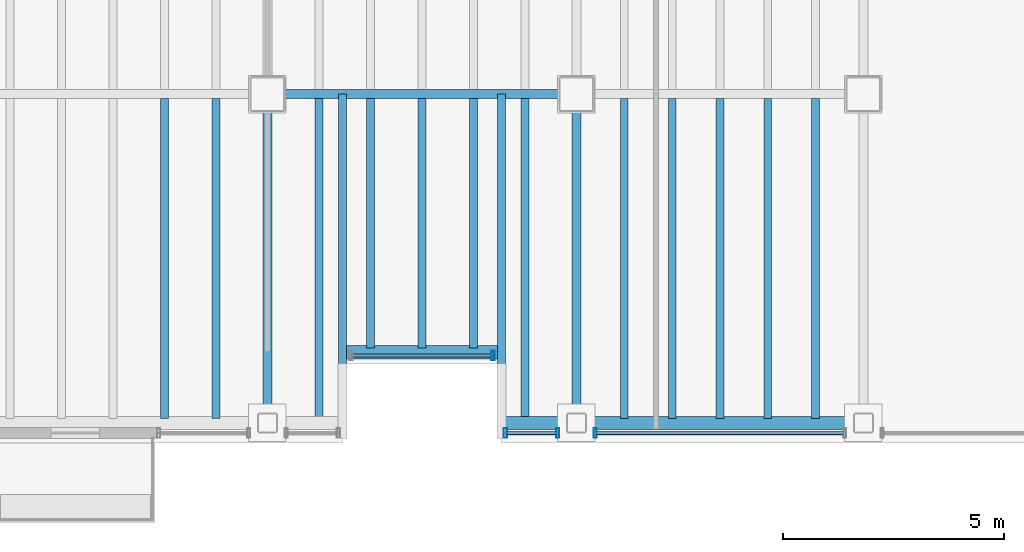
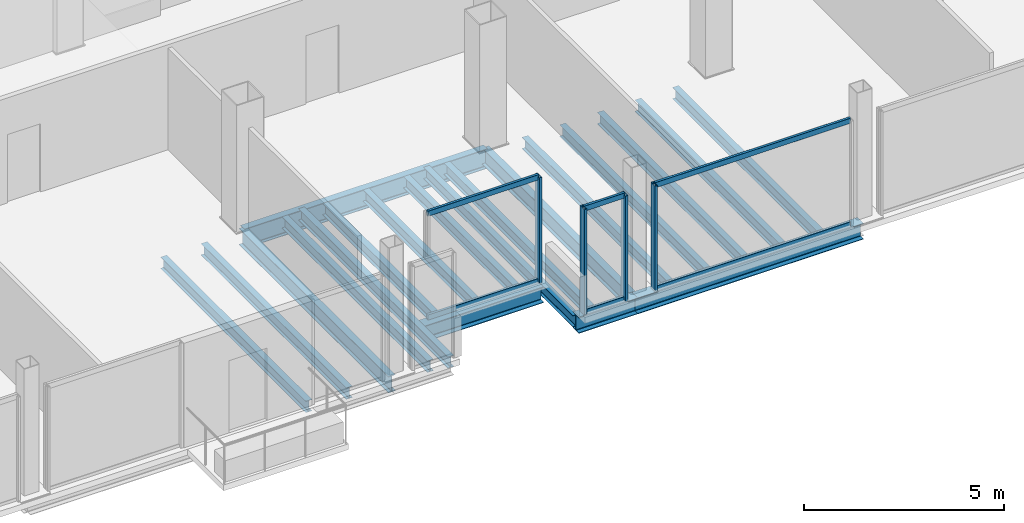
# One storey, part 6 of 16: 20 beams, 10 members, 3 elements without a shape of their own.
"""IFC4 building model written with IfcOpenShell, lengths in metres."""

from ifc_helpers import new_model, si_unit, direction, frame, origin, origin_2d, place, context, subcontext, project, spatial, hollow_rectangle, i_section, extrude, material, material_profile, profile_set, type_object, element, aggregate, save


model = new_model("IFC4")

# Units and contexts
model_context = context("Model", 3, precision=1e-05, world=origin(), true_north=direction((0.0, 1.0)))
body_context = subcontext(model_context, "Body", "Model", "MODEL_VIEW")
ifc_project = project(units=[si_unit("LENGTHUNIT", "METRE"), si_unit("AREAUNIT", "SQUARE_METRE"), si_unit("VOLUMEUNIT", "CUBIC_METRE"), si_unit("PLANEANGLEUNIT", "RADIAN"), si_unit("MASSUNIT", "GRAM", prefix="KILO")], contexts=[model_context])

# Site, building, storey
site_placement = place(None, origin())
site = spatial("IfcSite", under=ifc_project, at=site_placement, CompositionType="ELEMENT")
building_placement = place(site_placement, origin())
building = spatial("IfcBuilding", under=site, at=building_placement, Name="Noeulbin Bourse Tower", CompositionType="ELEMENT")
storey_placement = place(building_placement, frame((0.0, 0.0, 238.39990234375)))
storey = spatial("IfcBuildingStorey", under=building, at=storey_placement, Name="L59", CompositionType="ELEMENT", Elevation=238.39990234375)

# Beams
ifc_material_1 = material(Name="Steel S355", Category="steel")
ifc_material_profile_1 = material_profile(ifc_material_1, i_section(OverallWidth=0.199951171875, OverallDepth=0.5, WebThickness=0.010009765625, FlangeThickness=0.01611328125, FilletRadius=0.02001953125, at=origin_2d()), Name="H-500x200x10x16", Category="LoadBearing")
ifc_profile_set_1 = profile_set([ifc_material_profile_1], Name="Steel S355")
beam_type_1 = type_object("IfcBeamType", Name="BM-GRD-500", PredefinedType="USERDEFINED", material=ifc_profile_set_1)
for number, where, z_axis, x_axis, name in (
    (1, (24.0, 12.550048828125, -0.429931640625), (0.0, 1.0, 0.0), (-1.0, 0.0, 0.0), "Tower Primary Girder NS L59-2.1"),
    (2, (31.0, 12.550048828125, -0.429931640625), (0.0, 1.0, 0.0), (-1.0, 0.0, 0.0), "Tower Primary Girder NS L59-3.1"),
):
    element("IfcBeam", number, at=place(storey_placement, frame(where, z_axis=z_axis, x_axis=x_axis)), inside=storey, type_object=beam_type_1, Name=name, ObjectType="GIRDER", PredefinedType="USERDEFINED", context=body_context, shape_type="SweptSolid", body=[
        extrude(i_section(OverallWidth=0.199951171875, OverallDepth=0.5, WebThickness=0.010009765625, FlangeThickness=0.01611328125, FilletRadius=0.02001953125, at=origin_2d()), origin(), (0.0, 0.0, 1.0), 7.449951171875),
    ])
ifc_material_profile_2 = material_profile(ifc_material_1, i_section(OverallWidth=0.199951171875, OverallDepth=0.60009765625, WebThickness=0.010986328125, FlangeThickness=0.01708984375, FilletRadius=0.02197265625, at=origin_2d()), Name="H-600x200x11x17", Category="LoadBearing")
ifc_profile_set_2 = profile_set([ifc_material_profile_2], Name="Steel S355")
beam_type_2 = type_object("IfcBeamType", Name="BM-GRD-600", PredefinedType="USERDEFINED", material=ifc_profile_set_2)
beam_1_placement = place(storey_placement, frame((24.0, 20.0, -0.47998046875), z_axis=(1.0, 0.0, 0.0), x_axis=(0.0, 1.0, 0.0)))
element("IfcBeam", 3, at=beam_1_placement, inside=storey, type_object=beam_type_2, Name="Tower Primary Girder EW L59-1.3", ObjectType="GIRDER", PredefinedType="USERDEFINED", context=body_context, shape_type="SweptSolid", body=[
    extrude(i_section(OverallWidth=0.199951171875, OverallDepth=0.60009765625, WebThickness=0.010986328125, FlangeThickness=0.01708984375, FilletRadius=0.02197265625, at=origin_2d()), origin(), (0.0, 0.0, 1.0), 7.0),
])
ifc_material_profile_3 = material_profile(ifc_material_1, i_section(OverallWidth=0.175048828125, OverallDepth=0.35009765625, WebThickness=0.007080078125, FlangeThickness=0.010986328125, FilletRadius=0.013916015625, at=origin_2d()), Name="H-350x175x7x11", Category="LoadBearing")
ifc_profile_set_3 = profile_set([ifc_material_profile_3], Name="Steel S355")
beam_type_3 = type_object("IfcBeamType", Name="BM-JST-350", PredefinedType="JOIST", material=ifc_profile_set_3)
for number, where, z_axis, x_axis, name in (
    (4, (25.699951171875, 12.550048828125, -0.35498046875), (0.0, 1.0, 0.0), (-1.0, 0.0, 0.0), "BM-L59-SRT-W"),
    (5, (29.300048828125, 12.550048828125, -0.35498046875), (0.0, 1.0, 0.0), (-1.0, 0.0, 0.0), "BM-L59-SRT-E"),
):
    element("IfcBeam", number, at=place(storey_placement, frame(where, z_axis=z_axis, x_axis=x_axis)), inside=storey, type_object=beam_type_3, Name=name, PredefinedType="JOIST", context=body_context, shape_type="SweptSolid", body=[
        extrude(i_section(OverallWidth=0.175048828125, OverallDepth=0.35009765625, WebThickness=0.007080078125, FlangeThickness=0.010986328125, FilletRadius=0.013916015625, at=origin_2d()), origin(), (0.0, 0.0, 1.0), 7.449951171875),
    ])
for number, where, z_axis, x_axis, name in (
    (6, (21.666748046875, 12.64990234375, -0.35498046875), (0.0, 1.0, 0.0), (-1.0, 0.0, 0.0), "Tower Composite Joist L59-13"),
    (7, (22.833251953125, 12.64990234375, -0.35498046875), (0.0, 1.0, 0.0), (-1.0, 0.0, 0.0), "Tower Composite Joist L59-15"),
    (8, (25.166748046875, 12.64990234375, -0.35498046875), (0.0, 1.0, 0.0), (-1.0, 0.0, 0.0), "Tower Composite Joist L59-17"),
):
    element("IfcBeam", number, at=place(storey_placement, frame(where, z_axis=z_axis, x_axis=x_axis)), inside=storey, type_object=beam_type_3, Name=name, PredefinedType="JOIST", context=body_context, shape_type="SweptSolid", body=[
        extrude(i_section(OverallWidth=0.175048828125, OverallDepth=0.35009765625, WebThickness=0.007080078125, FlangeThickness=0.010986328125, FilletRadius=0.013916015625, at=origin_2d()), origin(), (0.0, 0.0, 1.0), 7.25),
    ])
for number, where, z_axis, x_axis, name in (
    (9, (26.333251953125, 14.25, -0.35498046875), (0.0, 1.0, 0.0), (-1.0, 0.0, 0.0), "Tower Composite Joist L59-19"),
    (10, (27.5, 14.25, -0.35498046875), (0.0, 1.0, 0.0), (-1.0, 0.0, 0.0), "Tower Composite Joist L59-21"),
    (11, (28.666748046875, 14.25, -0.35498046875), (0.0, 1.0, 0.0), (-1.0, 0.0, 0.0), "Tower Composite Joist L59-23"),
):
    element("IfcBeam", number, at=place(storey_placement, frame(where, z_axis=z_axis, x_axis=x_axis)), inside=storey, type_object=beam_type_3, Name=name, PredefinedType="JOIST", context=body_context, shape_type="SweptSolid", body=[
        extrude(i_section(OverallWidth=0.175048828125, OverallDepth=0.35009765625, WebThickness=0.007080078125, FlangeThickness=0.010986328125, FilletRadius=0.013916015625, at=origin_2d()), origin(), (0.0, 0.0, 1.0), 5.64990234375),
    ])
for number, where, z_axis, x_axis, name in (
    (12, (29.833251953125, 12.64990234375, -0.35498046875), (0.0, 1.0, 0.0), (-1.0, 0.0, 0.0), "Tower Composite Joist L59-25"),
    (13, (32.083251953125, 12.64990234375, -0.35498046875), (0.0, 1.0, 0.0), (-1.0, 0.0, 0.0), "Tower Composite Joist L59-27"),
    (14, (33.166748046875, 12.64990234375, -0.35498046875), (0.0, 1.0, 0.0), (-1.0, 0.0, 0.0), "Tower Composite Joist L59-29"),
    (15, (34.25, 12.64990234375, -0.35498046875), (0.0, 1.0, 0.0), (-1.0, 0.0, 0.0), "Tower Composite Joist L59-31"),
    (16, (35.333251953125, 12.64990234375, -0.35498046875), (0.0, 1.0, 0.0), (-1.0, 0.0, 0.0), "Tower Composite Joist L59-33"),
    (17, (36.416748046875, 12.64990234375, -0.35498046875), (0.0, 1.0, 0.0), (-1.0, 0.0, 0.0), "Tower Composite Joist L59-35"),
):
    element("IfcBeam", number, at=place(storey_placement, frame(where, z_axis=z_axis, x_axis=x_axis)), inside=storey, type_object=beam_type_3, Name=name, PredefinedType="JOIST", context=body_context, shape_type="SweptSolid", body=[
        extrude(i_section(OverallWidth=0.175048828125, OverallDepth=0.35009765625, WebThickness=0.007080078125, FlangeThickness=0.010986328125, FilletRadius=0.013916015625, at=origin_2d()), origin(), (0.0, 0.0, 1.0), 7.25),
    ])
ifc_material_profile_4 = material_profile(ifc_material_1, i_section(OverallWidth=0.300048828125, OverallDepth=0.488037109375, WebThickness=0.010986328125, FlangeThickness=0.01806640625, FilletRadius=0.02197265625, at=origin_2d()), Name="H-488x300x11x18", Category="LoadBearing")
ifc_profile_set_4 = profile_set([ifc_material_profile_4], Name="Steel S355")
beam_type_4 = type_object("IfcBeamType", Name="BM-SPN-488", PredefinedType="SPANDREL", material=ifc_profile_set_4)
beam_2_placement = place(storey_placement, frame((25.78759765625, 14.14990234375, -0.423828125), z_axis=(1.0, 0.0, 0.0), x_axis=(0.0, 1.0, 0.0)))
element("IfcBeam", 18, at=beam_2_placement, inside=storey, type_object=beam_type_4, Name="South Recess Spandrel L59-2B", PredefinedType="SPANDREL", context=body_context, shape_type="SweptSolid", body=[
    extrude(i_section(OverallWidth=0.300048828125, OverallDepth=0.488037109375, WebThickness=0.010986328125, FlangeThickness=0.01806640625, FilletRadius=0.02197265625, at=origin_2d()), origin(), (0.0, 0.0, 1.0), 3.4248046875),
])
beam_3_placement = place(storey_placement, frame((29.300048828125, 12.550048828125, -0.423828125), z_axis=(1.0, 0.0, 0.0), x_axis=(0.0, 1.0, 0.0)))
element("IfcBeam", 19, at=beam_3_placement, inside=storey, type_object=beam_type_4, Name="South Spandrel L59-2C", PredefinedType="SPANDREL", context=body_context, shape_type="SweptSolid", body=[
    extrude(i_section(OverallWidth=0.300048828125, OverallDepth=0.488037109375, WebThickness=0.010986328125, FlangeThickness=0.01806640625, FilletRadius=0.02197265625, at=origin_2d()), origin(), (0.0, 0.0, 1.0), 1.699951171875),
])
beam_4_placement = place(storey_placement, frame((31.0, 12.550048828125, -0.423828125), z_axis=(1.0, 0.0, 0.0), x_axis=(0.0, 1.0, 0.0)))
element("IfcBeam", 20, at=beam_4_placement, inside=storey, type_object=beam_type_4, Name="South Spandrel L59-3", PredefinedType="SPANDREL", context=body_context, shape_type="SweptSolid", body=[
    extrude(i_section(OverallWidth=0.300048828125, OverallDepth=0.488037109375, WebThickness=0.010986328125, FlangeThickness=0.01806640625, FilletRadius=0.02197265625, at=origin_2d()), origin(), (0.0, 0.0, 1.0), 6.5),
])

# Curtain wall, member
ifc_material_2 = material(Name="High-Selectivity Low-Iron Glazing", Category="glass")
curtain_wall_type = type_object("IfcCurtainWallType", Name="CW-SYS-4", PredefinedType="NOTDEFINED", material=ifc_material_2)
curtain_wall_1_placement = place(storey_placement, origin())
curtain_wall_1 = element("IfcCurtainWall", 21, at=curtain_wall_1_placement, inside=storey, type_object=curtain_wall_type, Name="Unitised Curtain Wall CW-L59-SREC", PredefinedType="NOTDEFINED")
ifc_material_3 = material(Name="Anodised Aluminium 6063-T6", Category="aluminium")
ifc_material_profile_5 = material_profile(ifc_material_3, hollow_rectangle(XDim=0.074951171875, YDim=0.219970703125, WallThickness=0.0048828125, InnerFilletRadius=0.00244140625, OuterFilletRadius=0.0048828125, at=origin_2d()), Name="ALU-MULL-75x220x5", Category="LoadBearing")
ifc_profile_set_5 = profile_set([ifc_material_profile_5], Name="Anodised Aluminium 6063-T6")
member_type_1 = type_object("IfcMemberType", Name="CW-SYS-4-MUL", PredefinedType="MULLION", material=ifc_profile_set_5)
member_1_placement = place(storey_placement, frame((29.110107421875, 14.080078125, -0.02001953125), z_axis=(0.0, 0.0, 1.0), x_axis=(1.0, 0.0, 0.0)))
member_1 = element("IfcMember", 22, at=member_1_placement, type_object=member_type_1, Name="Curtain Wall Mullion CW-L59-SREC-M01", PredefinedType="MULLION", context=body_context, shape_type="SweptSolid", body=[
    extrude(hollow_rectangle(XDim=0.074951171875, YDim=0.219970703125, WallThickness=0.0048828125, InnerFilletRadius=0.00244140625, OuterFilletRadius=0.0048828125, at=origin_2d()), origin(), (0.0, 0.0, 1.0), 3.22021484375),
])

# Curtain wall, members
curtain_wall_2_placement = place(storey_placement, origin())
curtain_wall_2 = element("IfcCurtainWall", 23, at=curtain_wall_2_placement, inside=storey, type_object=curtain_wall_type, Name="Unitised Curtain Wall CW-L59-S3-S1", PredefinedType="NOTDEFINED")
member_2_placement = place(storey_placement, frame((29.389892578125, 12.320068359375, -0.02001953125), z_axis=(0.0, 0.0, 1.0), x_axis=(1.0, 0.0, 0.0)))
member_2 = element("IfcMember", 24, at=member_2_placement, type_object=member_type_1, Name="Curtain Wall Mullion CW-L59-S3-S1-M00", PredefinedType="MULLION", context=body_context, shape_type="SweptSolid", body=[
    extrude(hollow_rectangle(XDim=0.074951171875, YDim=0.219970703125, WallThickness=0.0048828125, InnerFilletRadius=0.00244140625, OuterFilletRadius=0.0048828125, at=origin_2d()), origin(), (0.0, 0.0, 1.0), 3.22021484375),
])
member_3_placement = place(storey_placement, frame((30.574951171875, 12.320068359375, -0.02001953125), z_axis=(0.0, 0.0, 1.0), x_axis=(1.0, 0.0, 0.0)))
member_3 = element("IfcMember", 25, at=member_3_placement, type_object=member_type_1, Name="Curtain Wall Mullion CW-L59-S3-S1-M01", PredefinedType="MULLION", context=body_context, shape_type="SweptSolid", body=[
    extrude(hollow_rectangle(XDim=0.074951171875, YDim=0.219970703125, WallThickness=0.0048828125, InnerFilletRadius=0.00244140625, OuterFilletRadius=0.0048828125, at=origin_2d()), origin(), (0.0, 0.0, 1.0), 3.22021484375),
])

# Curtain wall, member
curtain_wall_3_placement = place(storey_placement, origin())
curtain_wall_3 = element("IfcCurtainWall", 26, at=curtain_wall_3_placement, inside=storey, type_object=curtain_wall_type, Name="Unitised Curtain Wall CW-L59-S3-S2", PredefinedType="NOTDEFINED")
member_4_placement = place(storey_placement, frame((31.425048828125, 12.320068359375, -0.02001953125), z_axis=(0.0, 0.0, 1.0), x_axis=(1.0, 0.0, 0.0)))
member_4 = element("IfcMember", 27, at=member_4_placement, type_object=member_type_1, Name="Curtain Wall Mullion CW-L59-S3-S2-M00", PredefinedType="MULLION", context=body_context, shape_type="SweptSolid", body=[
    extrude(hollow_rectangle(XDim=0.074951171875, YDim=0.219970703125, WallThickness=0.0048828125, InnerFilletRadius=0.00244140625, OuterFilletRadius=0.0048828125, at=origin_2d()), origin(), (0.0, 0.0, 1.0), 3.22021484375),
])

# Member
ifc_material_profile_6 = material_profile(ifc_material_3, hollow_rectangle(XDim=0.074951171875, YDim=0.159912109375, WallThickness=0.0048828125, InnerFilletRadius=0.00244140625, OuterFilletRadius=0.0048828125, at=origin_2d()), Name="ALU-TRAN-75x160x5", Category="LoadBearing")
ifc_profile_set_6 = profile_set([ifc_material_profile_6], Name="Anodised Aluminium 6063-T6")
member_type_2 = type_object("IfcMemberType", Name="CW-SYS-4-TRN", PredefinedType="USERDEFINED", material=ifc_profile_set_6)
member_5_placement = place(storey_placement, frame((25.89990234375, 14.080078125, 0.010009765625), z_axis=(1.0, 0.0, 0.0), x_axis=(0.0, 1.0, 0.0)))
member_5 = element("IfcMember", 28, at=member_5_placement, type_object=member_type_2, Name="Curtain Wall Transom CW-L59-SREC-T00", ObjectType="TRANSOM", PredefinedType="USERDEFINED", context=body_context, shape_type="SweptSolid", body=[
    extrude(hollow_rectangle(XDim=0.074951171875, YDim=0.159912109375, WallThickness=0.0048828125, InnerFilletRadius=0.00244140625, OuterFilletRadius=0.0048828125, at=origin_2d()), origin(), (0.0, 0.0, 1.0), 3.2001953125),
])

member_6_placement = place(storey_placement, frame((25.89990234375, 14.080078125, 3.170166015625), z_axis=(1.0, 0.0, 0.0), x_axis=(0.0, 1.0, 0.0)))
member_6 = element("IfcMember", 29, at=member_6_placement, type_object=member_type_2, Name="Curtain Wall Transom CW-L59-SREC-T01", ObjectType="TRANSOM", PredefinedType="USERDEFINED", context=body_context, shape_type="SweptSolid", body=[
    extrude(hollow_rectangle(XDim=0.074951171875, YDim=0.159912109375, WallThickness=0.0048828125, InnerFilletRadius=0.00244140625, OuterFilletRadius=0.0048828125, at=origin_2d()), origin(), (0.0, 0.0, 1.0), 3.2001953125),
])

aggregate(curtain_wall_1, [member_1, member_5, member_6])

member_7_placement = place(storey_placement, frame((29.39990234375, 12.320068359375, 0.010009765625), z_axis=(1.0, 0.0, 0.0), x_axis=(0.0, 1.0, 0.0)))
member_7 = element("IfcMember", 30, at=member_7_placement, type_object=member_type_2, Name="Curtain Wall Transom CW-L59-S3-S1-T00", ObjectType="TRANSOM", PredefinedType="USERDEFINED", context=body_context, shape_type="SweptSolid", body=[
    extrude(hollow_rectangle(XDim=0.074951171875, YDim=0.159912109375, WallThickness=0.0048828125, InnerFilletRadius=0.00244140625, OuterFilletRadius=0.0048828125, at=origin_2d()), origin(), (0.0, 0.0, 1.0), 1.1650390625),
])

member_8_placement = place(storey_placement, frame((29.39990234375, 12.320068359375, 3.170166015625), z_axis=(1.0, 0.0, 0.0), x_axis=(0.0, 1.0, 0.0)))
member_8 = element("IfcMember", 31, at=member_8_placement, type_object=member_type_2, Name="Curtain Wall Transom CW-L59-S3-S1-T01", ObjectType="TRANSOM", PredefinedType="USERDEFINED", context=body_context, shape_type="SweptSolid", body=[
    extrude(hollow_rectangle(XDim=0.074951171875, YDim=0.159912109375, WallThickness=0.0048828125, InnerFilletRadius=0.00244140625, OuterFilletRadius=0.0048828125, at=origin_2d()), origin(), (0.0, 0.0, 1.0), 1.1650390625),
])

aggregate(curtain_wall_2, [member_2, member_3, member_7, member_8])

member_9_placement = place(storey_placement, frame((31.43505859375, 12.320068359375, 0.010009765625), z_axis=(1.0, 0.0, 0.0), x_axis=(0.0, 1.0, 0.0)))
member_9 = element("IfcMember", 32, at=member_9_placement, type_object=member_type_2, Name="Curtain Wall Transom CW-L59-S3-S2-T00", ObjectType="TRANSOM", PredefinedType="USERDEFINED", context=body_context, shape_type="SweptSolid", body=[
    extrude(hollow_rectangle(XDim=0.074951171875, YDim=0.159912109375, WallThickness=0.0048828125, InnerFilletRadius=0.00244140625, OuterFilletRadius=0.0048828125, at=origin_2d()), origin(), (0.0, 0.0, 1.0), 5.6298828125),
])

member_10_placement = place(storey_placement, frame((31.43505859375, 12.320068359375, 3.170166015625), z_axis=(1.0, 0.0, 0.0), x_axis=(0.0, 1.0, 0.0)))
member_10 = element("IfcMember", 33, at=member_10_placement, type_object=member_type_2, Name="Curtain Wall Transom CW-L59-S3-S2-T01", ObjectType="TRANSOM", PredefinedType="USERDEFINED", context=body_context, shape_type="SweptSolid", body=[
    extrude(hollow_rectangle(XDim=0.074951171875, YDim=0.159912109375, WallThickness=0.0048828125, InnerFilletRadius=0.00244140625, OuterFilletRadius=0.0048828125, at=origin_2d()), origin(), (0.0, 0.0, 1.0), 5.6298828125),
])

aggregate(curtain_wall_3, [member_4, member_9, member_10])

save(model, "model.ifc")
